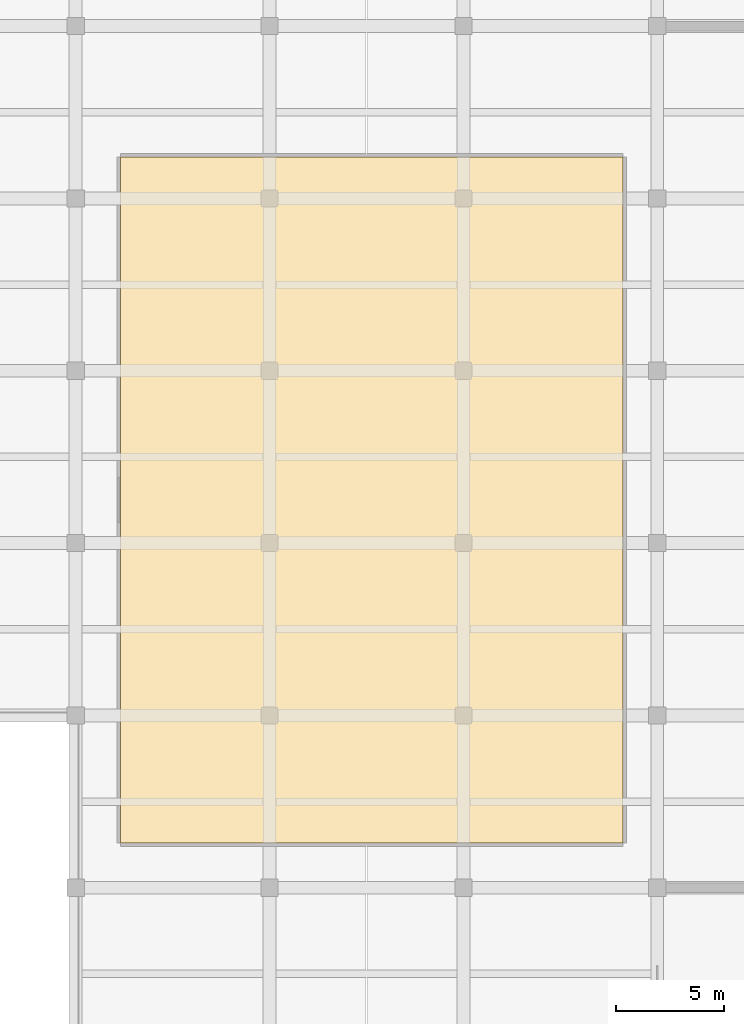
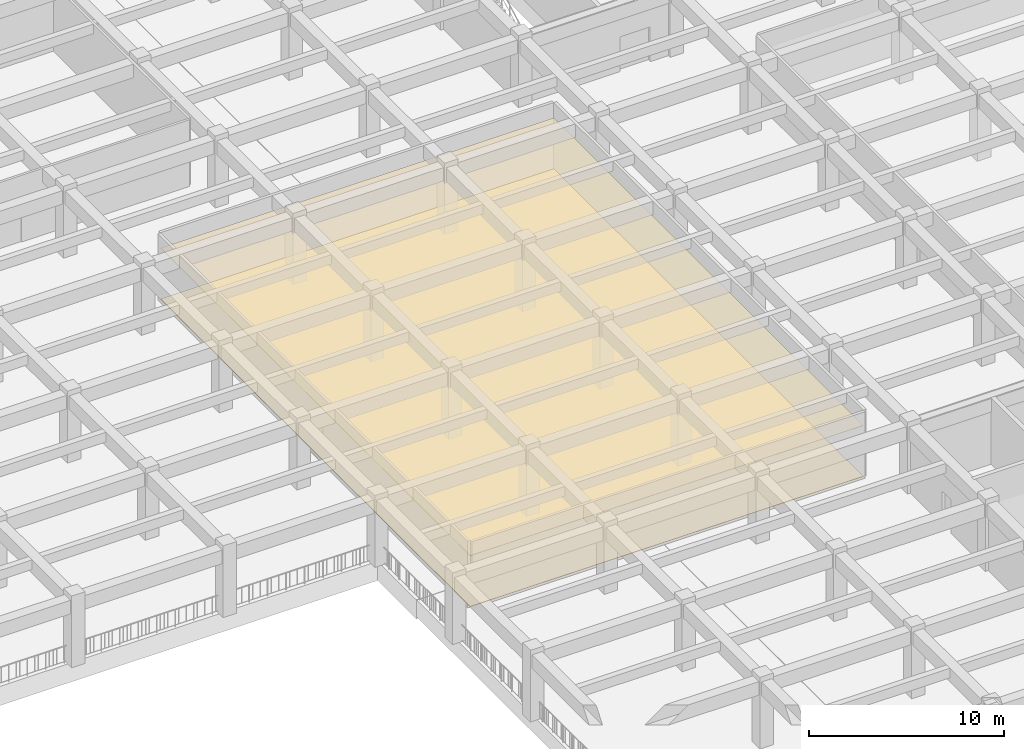
# One storey, part 45 of 50: 2 coverings.
"""IFC4 building model written with IfcOpenShell, lengths in metres."""

from ifc_helpers import new_model, si_unit, direction, frame, origin, place, context, subcontext, project, spatial, polyline, outline, extrude, material, layer, layer_set, type_object, element, save


model = new_model("IFC4")

# Units and contexts
model_context = context("Model", 3, precision=1e-05, world=origin(), true_north=direction((0.0, 1.0)))
body_context = subcontext(model_context, "Body", "Model", "MODEL_VIEW")
ifc_project = project(units=[si_unit("LENGTHUNIT", "METRE"), si_unit("AREAUNIT", "SQUARE_METRE"), si_unit("VOLUMEUNIT", "CUBIC_METRE"), si_unit("PLANEANGLEUNIT", "RADIAN"), si_unit("MASSUNIT", "GRAM", prefix="KILO")], contexts=[model_context])

# Site, building, storey
site_placement = place(None, origin())
site = spatial("IfcSite", under=ifc_project, at=site_placement, CompositionType="ELEMENT")
building_placement = place(site_placement, origin())
building = spatial("IfcBuilding", under=site, at=building_placement, Name="Zaverband Oceanarium and Marine Research Institute", CompositionType="ELEMENT")
storey_placement = place(building_placement, frame((0.0, 0.0, 4.5)))
storey = spatial("IfcBuildingStorey", under=building, at=storey_placement, Name="L01", CompositionType="ELEMENT", Elevation=4.5)

# Coverings
ifc_material_1 = material(Name="Perforated mineral-fibre acoustic ceiling tile")
ifc_layer_1 = layer(ifc_material_1, 0.02490234375, Name="Perforated mineral-fibre acoustic ceiling tile")
ifc_layer_set_1 = layer_set([ifc_layer_1], Name="Perforated mineral-fibre acoustic ceiling tile")
covering_type_1 = type_object("IfcCoveringType", Name="CLG-AC-15", PredefinedType="CEILING", material=ifc_layer_set_1)
covering_1_placement = place(storey_placement, frame((0.0, 0.0, 3.18994140625)))
element("IfcCovering", 1, at=covering_1_placement, inside=storey, type_object=covering_type_1, Name="Suspended acoustic ceiling CLG-AC-15", PredefinedType="CEILING", context=body_context, shape_type="SweptSolid", body=[
    extrude(outline(polyline([(110.08251953125, 42.08251953125), (133.41748046875, 42.08251953125), (133.41748046875, 73.91748046875), (110.08251953125, 73.91748046875), (110.08251953125, 42.08251953125)])), origin(), (0.0, 0.0, 1.0), 0.025146484375),
])
ifc_material_2 = material(Name="Polished marine terrazzo and seamless laboratory epoxy flooring")
ifc_layer_2 = layer(ifc_material_2, 0.02490234375, Name="Polished marine terrazzo and seamless laboratory epoxy flooring")
ifc_layer_set_2 = layer_set([ifc_layer_2], Name="Polished marine terrazzo and seamless laboratory epoxy flooring")
covering_type_2 = type_object("IfcCoveringType", Name="FLR-TRZ-20", PredefinedType="FLOORING", material=ifc_layer_set_2)
covering_2_placement = place(storey_placement, origin())
element("IfcCovering", 2, at=covering_2_placement, inside=storey, type_object=covering_type_2, Name="Terrazzo and marine epoxy floor finish FLR-TRZ-20", PredefinedType="FLOORING", context=body_context, shape_type="SweptSolid", body=[
    extrude(outline(polyline([(110.08251953125, 42.08251953125), (133.41748046875, 42.08251953125), (133.41748046875, 73.91748046875), (110.08251953125, 73.91748046875), (110.08251953125, 42.08251953125)])), origin(), (0.0, 0.0, 1.0), 0.02490234375),
])

save(model, "model.ifc")
